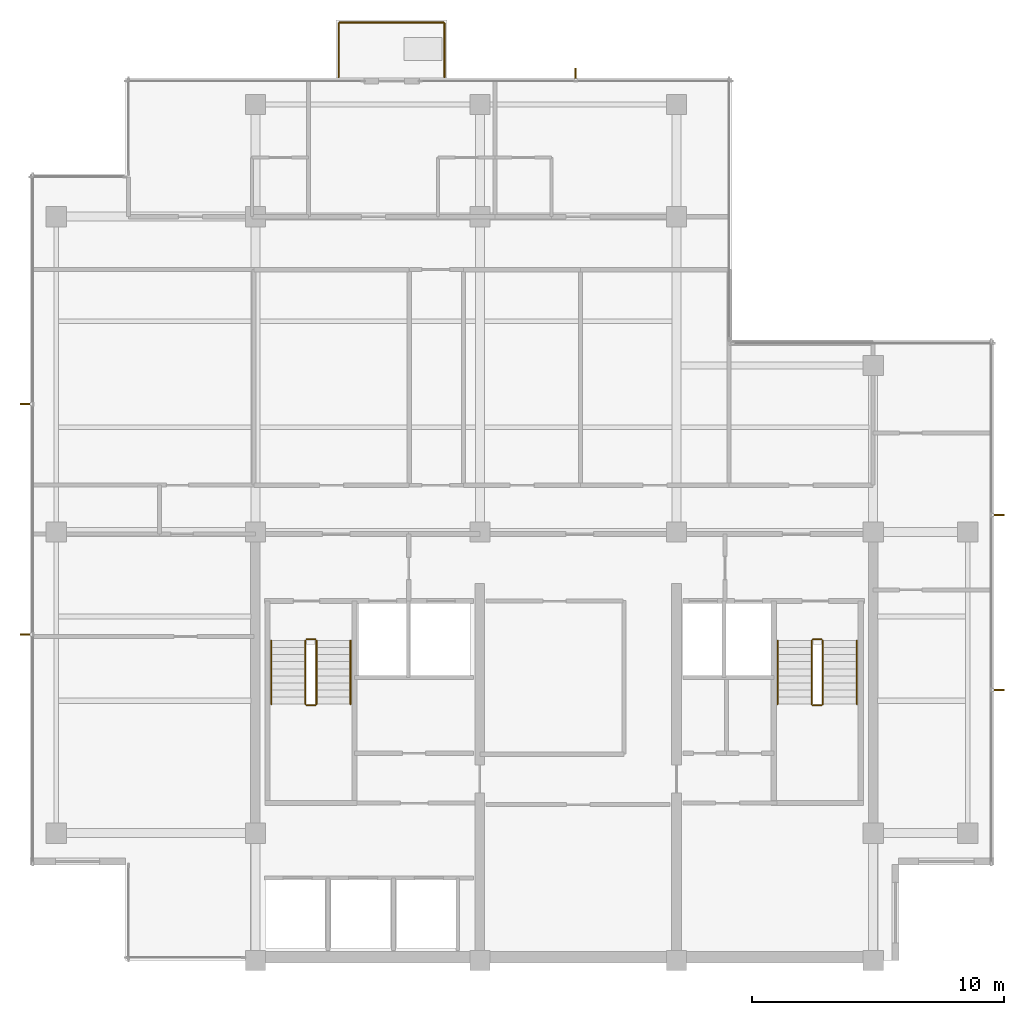
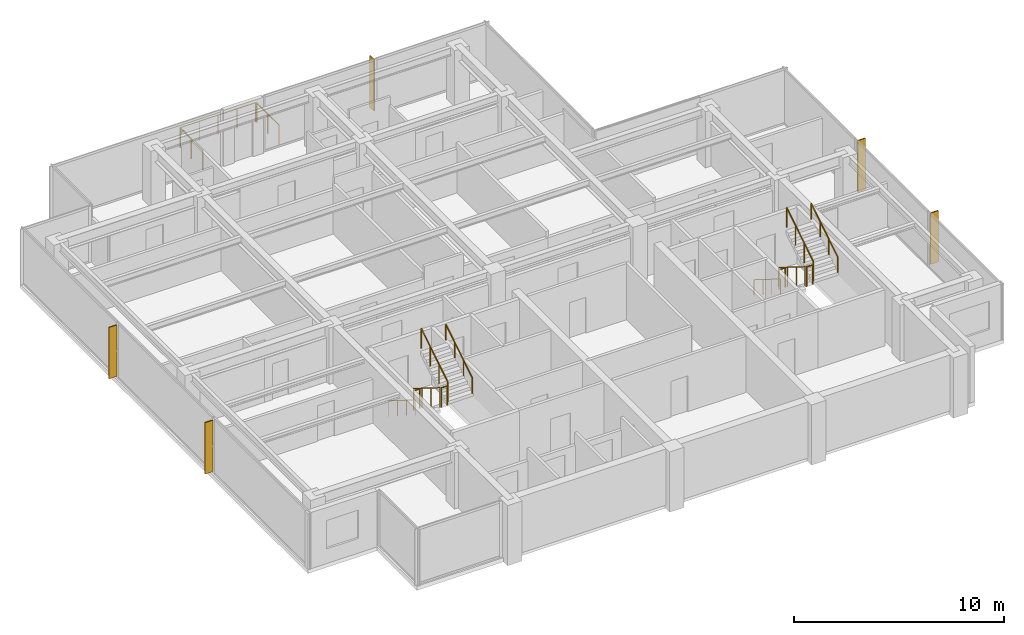
# One storey, part 11 of 11: 15 railings, 5 shading devices.
"""IFC4 building model written with IfcOpenShell, lengths in metres."""

import ifcopenshell
import ifcopenshell.guid

model = None  # the IFC model being written
_history = None  # IfcOwnerHistory: only IFC2X3 demands one
_inside = {}  # id of a spatial element -> (the spatial element, [elements in it])
_under = {}  # id of a project, library or spatial element -> (it, [spatial elements below it])
_declared = {}  # id of a project -> (the project, [libraries it declares])
_typed = {}  # id of a type object -> (the type object, [elements of that type])
_made_of = {}  # id of a material, layer set ... -> (it, [elements and type objects made of it])


def new_model(schema):
    """Start an empty IFC model of exactly this schema.

    Asked for "IFC4X3", IfcOpenShell would pick the latest addendum, in which some entities
    have other attributes; the version numbers below select the first issue.
    IFC2X3 requires an IfcOwnerHistory on every rooted entity: one is made here for all.
    """
    global model, _history
    if schema == "IFC4X3":
        model = ifcopenshell.file(schema_version=(4, 3, 0, 0))
    else:
        model = ifcopenshell.file(schema=schema)
    _inside.clear()
    _under.clear()
    _declared.clear()
    _typed.clear()
    _made_of.clear()
    _history = None
    if model.schema == "IFC2X3":
        org = make("IfcOrganization", Name="unknown")
        user = make(
            "IfcPersonAndOrganization",
            ThePerson=make("IfcPerson", FamilyName="unknown"),
            TheOrganization=org,
        )
        app = make(
            "IfcApplication",
            ApplicationDeveloper=org,
            Version="unknown",
            ApplicationFullName="unknown",
            ApplicationIdentifier="unknown",
        )
        _history = make(
            "IfcOwnerHistory",
            OwningUser=user,
            OwningApplication=app,
            ChangeAction="ADDED",
            CreationDate=0,
        )
    return model


def make(cls, **values):
    """One entity of the class cls with the attributes given. An attribute that is None is left unset."""
    return model.create_entity(
        cls, **{name: value for name, value in values.items() if value is not None}
    )


def rooted(cls, **values):
    """An entity with a GlobalId (a new one), such as an element, a storey or a relation."""
    return make(cls, GlobalId=ifcopenshell.guid.new(), OwnerHistory=_history, **values)


def si_unit(unit_type, name, prefix=None):
    """IfcSIUnit, for example si_unit("LENGTHUNIT", "METRE", prefix="MILLI")."""
    return make("IfcSIUnit", UnitType=unit_type, Prefix=prefix, Name=name)


def assignment(units):
    """IfcUnitAssignment: the units of a project."""
    return None if units is None else make("IfcUnitAssignment", Units=units)


def point(xyz):
    """IfcCartesianPoint."""
    return None if xyz is None else make("IfcCartesianPoint", Coordinates=xyz)


def direction(xyz):
    """IfcDirection."""
    return None if xyz is None else make("IfcDirection", DirectionRatios=xyz)


def frame(location, z_axis=None, x_axis=None):
    """IfcAxis2Placement3D, a coordinate frame: its origin and axes. An axis left out is left unset."""
    return make(
        "IfcAxis2Placement3D",
        Location=point(location),
        Axis=direction(z_axis),
        RefDirection=direction(x_axis),
    )


def frame_2d(location, x_axis=None):
    """IfcAxis2Placement2D, a coordinate frame in the plane: its origin and x axis."""
    return make(
        "IfcAxis2Placement2D", Location=point(location), RefDirection=direction(x_axis)
    )


def origin():
    """The frame at (0, 0, 0) with its axes left unset."""
    return frame((0.0, 0.0, 0.0))


def origin_2d():
    """The frame at (0, 0) in the plane with its x axis left unset."""
    return frame_2d((0.0, 0.0))


def place(relative_to, where):
    """IfcLocalPlacement: puts the frame where relative to a parent placement (None: the world)."""
    return make(
        "IfcLocalPlacement", PlacementRelTo=relative_to, RelativePlacement=where
    )


def context(
    kind, dimensions, precision=None, world=None, true_north=None, identifier=None
):
    """IfcGeometricRepresentationContext, for example the 3D "Model" context."""
    return make(
        "IfcGeometricRepresentationContext",
        ContextIdentifier=identifier,
        ContextType=kind,
        CoordinateSpaceDimension=dimensions,
        Precision=precision,
        WorldCoordinateSystem=world,
        TrueNorth=true_north,
    )


def subcontext(parent, identifier, kind, view, scale=None):
    """IfcGeometricRepresentationSubContext, for example "Body" below "Model"."""
    return make(
        "IfcGeometricRepresentationSubContext",
        ContextIdentifier=identifier,
        ContextType=kind,
        ParentContext=parent,
        TargetScale=scale,
        TargetView=view,
    )


def project(units=None, contexts=None):
    """IfcProject with its units and contexts."""
    return rooted(
        "IfcProject",
        Name="project",
        RepresentationContexts=contexts,
        UnitsInContext=assignment(units),
    )


def spatial(cls, under=None, at=None, **own):
    """A site, building, storey or space (cls), placed at a placement, below another one or the project."""
    s = rooted(cls, ObjectPlacement=at, **own)
    if under is not None:
        _under.setdefault(under.id(), (under, []))[1].append(s)
    return s


def polyline(points):
    """IfcPolyline through the points."""
    return make("IfcPolyline", Points=[point(p) for p in points])


def profile(cls, at=None, kind="AREA", **sizes):
    """A parametric profile (cls). Its sizes go by their IFC names, for example OverallWidth=200.0."""
    return make(cls, ProfileType=kind, Position=at, **sizes)


def circle(**sizes):
    """IfcCircleProfileDef."""
    return profile("IfcCircleProfileDef", **sizes)


def outline(outer, holes=None, kind="AREA"):
    """IfcArbitraryClosedProfileDef: a profile drawn as a closed curve; with holes, ...WithVoids."""
    if holes is None:
        return make("IfcArbitraryClosedProfileDef", ProfileType=kind, OuterCurve=outer)
    return make(
        "IfcArbitraryProfileDefWithVoids",
        ProfileType=kind,
        OuterCurve=outer,
        InnerCurves=holes,
    )


def extrude(swept, where, along, depth):
    """IfcExtrudedAreaSolid: the profile swept, set in the frame where, extruded along a direction by depth."""
    return make(
        "IfcExtrudedAreaSolid",
        SweptArea=swept,
        Position=where,
        ExtrudedDirection=direction(along),
        Depth=depth,
    )


def shape(context_of_items, identifier, shape_type, items):
    """IfcShapeRepresentation: the items that make up one representation, for example the "Body"."""
    return make(
        "IfcShapeRepresentation",
        ContextOfItems=context_of_items,
        RepresentationIdentifier=identifier,
        RepresentationType=shape_type,
        Items=items,
    )


def material(Name=None, Category=None):
    """IfcMaterial."""
    return make("IfcMaterial", Name=Name, Category=Category)


def layer(
    of_material, thickness, ventilated=None, Name=None, Category=None, Priority=None
):
    """IfcMaterialLayer: one layer of a wall or slab, of a material (None: an air gap)."""
    return make(
        "IfcMaterialLayer",
        Material=of_material,
        LayerThickness=thickness,
        IsVentilated=ventilated,
        Name=Name,
        Category=Category,
        Priority=Priority,
    )


def layer_set(layers, Name=None):
    """IfcMaterialLayerSet."""
    return make("IfcMaterialLayerSet", MaterialLayers=layers, LayerSetName=Name)


def made_of(thing, what):
    """Note that an element or type object is made of a material, layer set ...; save() writes the relation."""
    if what is not None:
        _made_of.setdefault(what.id(), (what, []))[1].append(thing)
    return thing


def type_object(cls, material=None, **own):
    """A type object (cls), such as IfcWallType, which elements share."""
    return made_of(rooted(cls, **own), material)


def element(
    cls,
    number,
    at=None,
    inside=None,
    cuts=None,
    type_object=None,
    material=None,
    context=None,
    identifier="Body",
    shape_type=None,
    held_by="IfcProductDefinitionShape",
    body=None,
    shapes=None,
    **own,
):
    """One element of the class cls, such as IfcWall. Its Tag is "e" and its number.

    at: its placement. inside: the storey or other place that contains it. cuts: it is an
    opening in that element (IfcRelVoidsElement). A single representation is given by context,
    identifier, shape_type and body (its items); several are given by shapes. held_by: the class
    of the entity that holds the representations. save() writes the other relations.
    """
    e = rooted(cls, Tag="e%d" % number, ObjectPlacement=at, **own)
    if body is not None:
        shapes = [shape(context, identifier, shape_type, body)]
    if shapes is not None:
        e.Representation = make(held_by, Representations=shapes)
    if inside is not None:
        _inside.setdefault(inside.id(), (inside, []))[1].append(e)
    if cuts is not None:
        rooted(
            "IfcRelVoidsElement", RelatingBuildingElement=cuts, RelatedOpeningElement=e
        )
    if type_object is not None:
        _typed.setdefault(type_object.id(), (type_object, []))[1].append(e)
    return made_of(e, material)


def aggregate(whole, parts):
    """IfcRelAggregates: a whole, such as a stair, and the parts it consists of."""
    return rooted("IfcRelAggregates", RelatingObject=whole, RelatedObjects=parts)


def save(model, path):
    """Write the relations noted so far, then the file.

    IfcRelAggregates (storeys below a building ...), IfcRelContainedInSpatialStructure (elements
    in a storey), IfcRelDefinesByType, IfcRelAssociatesMaterial and IfcRelDeclares: one each for
    every whole, place, type object, material and project.
    """
    for whole, parts in _under.values():
        aggregate(whole, parts)
    for where, things in _inside.values():
        rooted(
            "IfcRelContainedInSpatialStructure",
            RelatedElements=things,
            RelatingStructure=where,
        )
    for kind, things in _typed.values():
        rooted("IfcRelDefinesByType", RelatedObjects=things, RelatingType=kind)
    for what, things in _made_of.values():
        rooted("IfcRelAssociatesMaterial", RelatedObjects=things, RelatingMaterial=what)
    for by, libraries in _declared.values():
        rooted("IfcRelDeclares", RelatingContext=by, RelatedDefinitions=libraries)
    model.write(path)


model = new_model("IFC4")

# Units and contexts
model_context = context("Model", 3, precision=1e-05, world=origin(), true_north=direction((0.0, 1.0)))
body_context = subcontext(model_context, "Body", "Model", "MODEL_VIEW")
ifc_project = project(units=[si_unit("LENGTHUNIT", "METRE"), si_unit("AREAUNIT", "SQUARE_METRE"), si_unit("VOLUMEUNIT", "CUBIC_METRE"), si_unit("PLANEANGLEUNIT", "RADIAN"), si_unit("MASSUNIT", "GRAM", prefix="KILO")], contexts=[model_context])

# Site, building, storey
site_placement = place(None, origin())
site = spatial("IfcSite", under=ifc_project, at=site_placement, CompositionType="ELEMENT")
building_placement = place(site_placement, origin())
building = spatial("IfcBuilding", under=site, at=building_placement, Name="Qalmaran Belvedere Hotel", CompositionType="ELEMENT")
storey_placement = place(building_placement, frame((0.0, 0.0, 263.39990234375)))
storey = spatial("IfcBuildingStorey", under=building, at=storey_placement, Name="L68", CompositionType="ELEMENT", Elevation=263.39990234375)

# Shading devices
ifc_material_1 = material(Name="Anodised Bronze Aluminium", Category="aluminium")
ifc_layer = layer(ifc_material_1, 0.06494140625, Name="Anodised Bronze Aluminium")
ifc_layer_set = layer_set([ifc_layer], Name="Anodised Bronze Aluminium")
shading_device_type = type_object("IfcShadingDeviceType", Name="FIN-BRNZ-420", PredefinedType="USERDEFINED", material=ifc_layer_set)
shading_device_1_placement = place(storey_placement, frame((0.0, 0.0, 0.16015625)))
element("IfcShadingDevice", 1, at=shading_device_1_placement, inside=storey, type_object=shading_device_type, Name="L68 Bronze Fin 1", ObjectType="FIN", PredefinedType="USERDEFINED", context=body_context, shape_type="SweptSolid", body=[
    extrude(outline(polyline([(49.5673828125, 14.20068359375), (49.987548828125, 14.20068359375), (49.987548828125, 14.265869140625), (49.5673828125, 14.265869140625), (49.5673828125, 14.20068359375)])), origin(), (0.0, 0.0, 1.0), 2.97998046875),
])
shading_device_2_placement = place(storey_placement, frame((0.0, 0.0, 0.16015625)))
element("IfcShadingDevice", 2, at=shading_device_2_placement, inside=storey, type_object=shading_device_type, Name="L68 Bronze Fin 2", ObjectType="FIN", PredefinedType="USERDEFINED", context=body_context, shape_type="SweptSolid", body=[
    extrude(outline(polyline([(49.5673828125, 21.13427734375), (49.987548828125, 21.13427734375), (49.987548828125, 21.19921875), (49.5673828125, 21.19921875), (49.5673828125, 21.13427734375)])), origin(), (0.0, 0.0, 1.0), 2.97998046875),
])
shading_device_3_placement = place(storey_placement, frame((0.0, 0.0, 0.16015625)))
element("IfcShadingDevice", 3, at=shading_device_3_placement, inside=storey, type_object=shading_device_type, Name="L68 Bronze Fin 1", ObjectType="FIN", PredefinedType="USERDEFINED", context=body_context, shape_type="SweptSolid", body=[
    extrude(outline(polyline([(33.032470703125, 38.467529296875), (33.032470703125, 38.887451171875), (32.967529296875, 38.887451171875), (32.967529296875, 38.467529296875), (33.032470703125, 38.467529296875)])), origin(), (0.0, 0.0, 1.0), 2.97998046875),
])
shading_device_4_placement = place(storey_placement, frame((0.0, 0.0, 0.16015625)))
element("IfcShadingDevice", 4, at=shading_device_4_placement, inside=storey, type_object=shading_device_type, Name="L68 Bronze Fin 1", ObjectType="FIN", PredefinedType="USERDEFINED", context=body_context, shape_type="SweptSolid", body=[
    extrude(outline(polyline([(11.382568359375, 25.59912109375), (10.96240234375, 25.59912109375), (10.96240234375, 25.5341796875), (11.382568359375, 25.5341796875), (11.382568359375, 25.59912109375)])), origin(), (0.0, 0.0, 1.0), 2.97998046875),
])
shading_device_5_placement = place(storey_placement, frame((0.0, 0.0, 0.16015625)))
element("IfcShadingDevice", 5, at=shading_device_5_placement, inside=storey, type_object=shading_device_type, Name="L68 Bronze Fin 2", ObjectType="FIN", PredefinedType="USERDEFINED", context=body_context, shape_type="SweptSolid", body=[
    extrude(outline(polyline([(11.382568359375, 16.4658203125), (10.96240234375, 16.4658203125), (10.96240234375, 16.40087890625), (11.382568359375, 16.40087890625), (11.382568359375, 16.4658203125)])), origin(), (0.0, 0.0, 1.0), 2.97998046875),
])

# Railings
railing_type_1 = type_object("IfcRailingType", Name="GRD-BAL-1150", PredefinedType="BALUSTRADE", material=ifc_material_1)
railing_1_placement = place(storey_placement, frame((23.60009765625, 38.534912109375, 0.0)))
element("IfcRailing", 6, at=railing_1_placement, inside=storey, type_object=railing_type_1, Name="L68 Guardrail BAL-L68-N-1", PredefinedType="BALUSTRADE", context=body_context, shape_type="SweptSolid", body=[
    extrude(circle(Radius=0.02392578125, at=origin_2d()), frame((0.0, 0.0, 1.1259765625), z_axis=(0.0, 1.0, 0.0), x_axis=(-1.0, 0.0, 0.0)), (0.0, 0.0, 1.0), 2.130126953125),
    extrude(circle(Radius=0.02099609375, at=origin_2d()), origin(), (0.0, 0.0, 1.0), 1.101806640625),
    extrude(circle(Radius=0.02099609375, at=origin_2d()), frame((0.0, 1.06494140625, 0.0)), (0.0, 0.0, 1.0), 1.101806640625),
    extrude(circle(Radius=0.02099609375, at=origin_2d()), frame((0.0, 2.130126953125, 0.0)), (0.0, 0.0, 1.0), 1.101806640625),
])
railing_2_placement = place(storey_placement, frame((23.635009765625, 40.699951171875, 0.0)))
element("IfcRailing", 7, at=railing_2_placement, inside=storey, type_object=railing_type_1, Name="L68 Guardrail BAL-L68-N-2", PredefinedType="BALUSTRADE", context=body_context, shape_type="SweptSolid", body=[
    extrude(circle(Radius=0.02392578125, at=origin_2d()), frame((0.0, 0.0, 1.1259765625), z_axis=(1.0, 0.0, 0.0), x_axis=(0.0, 1.0, 0.0)), (0.0, 0.0, 1.0), 4.1298828125),
    extrude(circle(Radius=0.02099609375, at=origin_2d()), origin(), (0.0, 0.0, 1.0), 1.101806640625),
    extrude(circle(Radius=0.02099609375, at=origin_2d()), frame((1.032470703125, 0.0, 0.0)), (0.0, 0.0, 1.0), 1.101806640625),
    extrude(circle(Radius=0.02099609375, at=origin_2d()), frame((2.06494140625, 0.0, 0.0)), (0.0, 0.0, 1.0), 1.101806640625),
    extrude(circle(Radius=0.02099609375, at=origin_2d()), frame((3.097412109375, 0.0, 0.0)), (0.0, 0.0, 1.0), 1.101806640625),
    extrude(circle(Radius=0.02099609375, at=origin_2d()), frame((4.1298828125, 0.0, 0.0)), (0.0, 0.0, 1.0), 1.101806640625),
])
railing_3_placement = place(storey_placement, frame((27.800048828125, 40.6650390625, 0.0)))
element("IfcRailing", 8, at=railing_3_placement, inside=storey, type_object=railing_type_1, Name="L68 Guardrail BAL-L68-N-3", PredefinedType="BALUSTRADE", context=body_context, shape_type="SweptSolid", body=[
    extrude(circle(Radius=0.02392578125, at=origin_2d()), frame((0.0, 0.0, 1.1259765625), z_axis=(0.0, -1.0, 0.0), x_axis=(1.0, 0.0, 0.0)), (0.0, 0.0, 1.0), 2.130126953125),
    extrude(circle(Radius=0.02099609375, at=origin_2d()), origin(), (0.0, 0.0, 1.0), 1.101806640625),
    extrude(circle(Radius=0.02099609375, at=origin_2d()), frame((0.0, -1.06494140625, 0.0)), (0.0, 0.0, 1.0), 1.101806640625),
    extrude(circle(Radius=0.02099609375, at=origin_2d()), frame((0.0, -2.130126953125, 0.0)), (0.0, 0.0, 1.0), 1.101806640625),
])
ifc_material_2 = material(Name="Stainless Steel 1.4401", Category="steel")
railing_type_2 = type_object("IfcRailingType", Name="RLG-STAIR-GUARD-1150", PredefinedType="GUARDRAIL", material=ifc_material_2)
railing_4_placement = place(storey_placement, frame((22.280029296875, 16.18994140625, 0.175048828125)))
element("IfcRailing", 9, at=railing_4_placement, inside=storey, type_object=railing_type_2, Name="L68 ST-1 stair guard 1", PredefinedType="GUARDRAIL", context=body_context, shape_type="SweptSolid", body=[
    extrude(circle(Radius=0.02392578125, at=origin_2d()), frame((0.0, 0.0, 1.1259765625), z_axis=(0.0, -0.848007534815, 0.529984170421), x_axis=(1.0, 0.0, 0.0)), (0.0, 0.0, 1.0), 2.9716796875),
    extrude(circle(Radius=0.02099609375, at=origin_2d()), origin(), (0.0, 0.0, 1.0), 1.101806640625),
    extrude(circle(Radius=0.02099609375, at=origin_2d()), frame((0.0, -0.840087890625, 0.52490234375)), (0.0, 0.0, 1.0), 1.101806640625),
    extrude(circle(Radius=0.02099609375, at=origin_2d()), frame((0.0, -1.679931640625, 1.050048828125)), (0.0, 0.0, 1.0), 1.101806640625),
    extrude(circle(Radius=0.02099609375, at=origin_2d()), frame((0.0, -2.52001953125, 1.574951171875)), (0.0, 0.0, 1.0), 1.101806640625),
])
railing_5_placement = place(storey_placement, frame((22.330078125, 13.6201171875, 1.75)))
element("IfcRailing", 10, at=railing_5_placement, inside=storey, type_object=railing_type_2, Name="L68 ST-1 stair guard 2", PredefinedType="GUARDRAIL", context=body_context, shape_type="SweptSolid", body=[
    extrude(circle(Radius=0.02392578125, at=origin_2d()), frame((0.0, 0.0, 1.1259765625), z_axis=(1.0, 0.0, 0.0), x_axis=(0.0, 1.0, 0.0)), (0.0, 0.0, 1.0), 0.33984375),
    extrude(circle(Radius=0.02099609375, at=origin_2d()), origin(), (0.0, 0.0, 1.0), 1.101806640625),
    extrude(circle(Radius=0.02099609375, at=origin_2d()), frame((0.33984375, 0.0, 0.0)), (0.0, 0.0, 1.0), 1.101806640625),
])
railing_6_placement = place(storey_placement, frame((22.719970703125, 13.669921875, 1.925048828125)))
element("IfcRailing", 11, at=railing_6_placement, inside=storey, type_object=railing_type_2, Name="L68 ST-1 stair guard 3", PredefinedType="GUARDRAIL", context=body_context, shape_type="SweptSolid", body=[
    extrude(circle(Radius=0.02392578125, at=origin_2d()), frame((0.0, 0.0, 1.1259765625), z_axis=(0.0, 0.848007534815, 0.529984170421), x_axis=(-1.0, 0.0, 0.0)), (0.0, 0.0, 1.0), 2.9716796875),
    extrude(circle(Radius=0.02099609375, at=origin_2d()), origin(), (0.0, 0.0, 1.0), 1.101806640625),
    extrude(circle(Radius=0.02099609375, at=origin_2d()), frame((0.0, 0.840087890625, 0.52490234375)), (0.0, 0.0, 1.0), 1.101806640625),
    extrude(circle(Radius=0.02099609375, at=origin_2d()), frame((0.0, 1.679931640625, 1.050048828125)), (0.0, 0.0, 1.0), 1.101806640625),
    extrude(circle(Radius=0.02099609375, at=origin_2d()), frame((0.0, 2.52001953125, 1.574951171875)), (0.0, 0.0, 1.0), 1.101806640625),
])
railing_7_placement = place(storey_placement, frame((22.330078125, 16.239990234375, 0.0)))
element("IfcRailing", 12, at=railing_7_placement, inside=storey, type_object=railing_type_2, Name="L68 ST-1 stair guard 4", PredefinedType="GUARDRAIL", context=body_context, shape_type="SweptSolid", body=[
    extrude(circle(Radius=0.02392578125, at=origin_2d()), frame((0.0, 0.0, 1.1259765625), z_axis=(1.0, 0.0, 0.0), x_axis=(0.0, 1.0, 0.0)), (0.0, 0.0, 1.0), 0.33984375),
    extrude(circle(Radius=0.02099609375, at=origin_2d()), origin(), (0.0, 0.0, 1.0), 1.101806640625),
    extrude(circle(Radius=0.02099609375, at=origin_2d()), frame((0.33984375, 0.0, 0.0)), (0.0, 0.0, 1.0), 1.101806640625),
])
railing_8_placement = place(storey_placement, frame((42.360107421875, 16.18994140625, 0.175048828125)))
element("IfcRailing", 13, at=railing_8_placement, inside=storey, type_object=railing_type_2, Name="L68 ST-2 stair guard 1", PredefinedType="GUARDRAIL", context=body_context, shape_type="SweptSolid", body=[
    extrude(circle(Radius=0.02392578125, at=origin_2d()), frame((0.0, 0.0, 1.1259765625), z_axis=(0.0, -0.848007534815, 0.529984170421), x_axis=(1.0, 0.0, 0.0)), (0.0, 0.0, 1.0), 2.9716796875),
    extrude(circle(Radius=0.02099609375, at=origin_2d()), origin(), (0.0, 0.0, 1.0), 1.101806640625),
    extrude(circle(Radius=0.02099609375, at=origin_2d()), frame((0.0, -0.840087890625, 0.52490234375)), (0.0, 0.0, 1.0), 1.101806640625),
    extrude(circle(Radius=0.02099609375, at=origin_2d()), frame((0.0, -1.679931640625, 1.050048828125)), (0.0, 0.0, 1.0), 1.101806640625),
    extrude(circle(Radius=0.02099609375, at=origin_2d()), frame((0.0, -2.52001953125, 1.574951171875)), (0.0, 0.0, 1.0), 1.101806640625),
])
railing_9_placement = place(storey_placement, frame((42.409912109375, 13.6201171875, 1.75)))
element("IfcRailing", 14, at=railing_9_placement, inside=storey, type_object=railing_type_2, Name="L68 ST-2 stair guard 2", PredefinedType="GUARDRAIL", context=body_context, shape_type="SweptSolid", body=[
    extrude(circle(Radius=0.02392578125, at=origin_2d()), frame((0.0, 0.0, 1.1259765625), z_axis=(1.0, 0.0, 0.0), x_axis=(0.0, 1.0, 0.0)), (0.0, 0.0, 1.0), 0.340087890625),
    extrude(circle(Radius=0.02099609375, at=origin_2d()), origin(), (0.0, 0.0, 1.0), 1.101806640625),
    extrude(circle(Radius=0.02099609375, at=origin_2d()), frame((0.340087890625, 0.0, 0.0)), (0.0, 0.0, 1.0), 1.101806640625),
])
railing_10_placement = place(storey_placement, frame((42.800048828125, 13.669921875, 1.925048828125)))
element("IfcRailing", 15, at=railing_10_placement, inside=storey, type_object=railing_type_2, Name="L68 ST-2 stair guard 3", PredefinedType="GUARDRAIL", context=body_context, shape_type="SweptSolid", body=[
    extrude(circle(Radius=0.02392578125, at=origin_2d()), frame((0.0, 0.0, 1.1259765625), z_axis=(0.0, 0.848007534815, 0.529984170421), x_axis=(-1.0, 0.0, 0.0)), (0.0, 0.0, 1.0), 2.9716796875),
    extrude(circle(Radius=0.02099609375, at=origin_2d()), origin(), (0.0, 0.0, 1.0), 1.101806640625),
    extrude(circle(Radius=0.02099609375, at=origin_2d()), frame((0.0, 0.840087890625, 0.52490234375)), (0.0, 0.0, 1.0), 1.101806640625),
    extrude(circle(Radius=0.02099609375, at=origin_2d()), frame((0.0, 1.679931640625, 1.050048828125)), (0.0, 0.0, 1.0), 1.101806640625),
    extrude(circle(Radius=0.02099609375, at=origin_2d()), frame((0.0, 2.52001953125, 1.574951171875)), (0.0, 0.0, 1.0), 1.101806640625),
])
railing_11_placement = place(storey_placement, frame((42.409912109375, 16.239990234375, 0.0)))
element("IfcRailing", 16, at=railing_11_placement, inside=storey, type_object=railing_type_2, Name="L68 ST-2 stair guard 4", PredefinedType="GUARDRAIL", context=body_context, shape_type="SweptSolid", body=[
    extrude(circle(Radius=0.02392578125, at=origin_2d()), frame((0.0, 0.0, 1.1259765625), z_axis=(1.0, 0.0, 0.0), x_axis=(0.0, 1.0, 0.0)), (0.0, 0.0, 1.0), 0.340087890625),
    extrude(circle(Radius=0.02099609375, at=origin_2d()), origin(), (0.0, 0.0, 1.0), 1.101806640625),
    extrude(circle(Radius=0.02099609375, at=origin_2d()), frame((0.340087890625, 0.0, 0.0)), (0.0, 0.0, 1.0), 1.101806640625),
])
railing_type_3 = type_object("IfcRailingType", Name="RLG-STAIR-HAND-910", PredefinedType="HANDRAIL", material=ifc_material_2)
railing_12_placement = place(storey_placement, frame((20.929931640625, 16.18994140625, 0.175048828125)))
element("IfcRailing", 17, at=railing_12_placement, inside=storey, type_object=railing_type_3, Name="L68 ST-1 stair handrail 1", PredefinedType="HANDRAIL", context=body_context, shape_type="SweptSolid", body=[
    extrude(circle(Radius=0.02392578125, at=origin_2d()), frame((0.0, 0.0, 0.8857421875), z_axis=(0.0, -0.848007534815, 0.529984170421), x_axis=(1.0, 0.0, 0.0)), (0.0, 0.0, 1.0), 2.9716796875),
    extrude(circle(Radius=0.02099609375, at=origin_2d()), origin(), (0.0, 0.0, 1.0), 0.86181640625),
    extrude(circle(Radius=0.02099609375, at=origin_2d()), frame((0.0, -0.840087890625, 0.52490234375)), (0.0, 0.0, 1.0), 0.86181640625),
    extrude(circle(Radius=0.02099609375, at=origin_2d()), frame((0.0, -1.679931640625, 1.050048828125)), (0.0, 0.0, 1.0), 0.86181640625),
    extrude(circle(Radius=0.02099609375, at=origin_2d()), frame((0.0, -2.52001953125, 1.574951171875)), (0.0, 0.0, 1.0), 0.86181640625),
])
railing_13_placement = place(storey_placement, frame((24.070068359375, 13.669921875, 1.925048828125)))
element("IfcRailing", 18, at=railing_13_placement, inside=storey, type_object=railing_type_3, Name="L68 ST-1 stair handrail 2", PredefinedType="HANDRAIL", context=body_context, shape_type="SweptSolid", body=[
    extrude(circle(Radius=0.02392578125, at=origin_2d()), frame((0.0, 0.0, 0.8857421875), z_axis=(0.0, 0.848007534815, 0.529984170421), x_axis=(-1.0, 0.0, 0.0)), (0.0, 0.0, 1.0), 2.9716796875),
    extrude(circle(Radius=0.02099609375, at=origin_2d()), origin(), (0.0, 0.0, 1.0), 0.86181640625),
    extrude(circle(Radius=0.02099609375, at=origin_2d()), frame((0.0, 0.840087890625, 0.52490234375)), (0.0, 0.0, 1.0), 0.86181640625),
    extrude(circle(Radius=0.02099609375, at=origin_2d()), frame((0.0, 1.679931640625, 1.050048828125)), (0.0, 0.0, 1.0), 0.86181640625),
    extrude(circle(Radius=0.02099609375, at=origin_2d()), frame((0.0, 2.52001953125, 1.574951171875)), (0.0, 0.0, 1.0), 0.86181640625),
])
railing_14_placement = place(storey_placement, frame((41.010009765625, 16.18994140625, 0.175048828125)))
element("IfcRailing", 19, at=railing_14_placement, inside=storey, type_object=railing_type_3, Name="L68 ST-2 stair handrail 1", PredefinedType="HANDRAIL", context=body_context, shape_type="SweptSolid", body=[
    extrude(circle(Radius=0.02392578125, at=origin_2d()), frame((0.0, 0.0, 0.8857421875), z_axis=(0.0, -0.848007534815, 0.529984170421), x_axis=(1.0, 0.0, 0.0)), (0.0, 0.0, 1.0), 2.9716796875),
    extrude(circle(Radius=0.02099609375, at=origin_2d()), origin(), (0.0, 0.0, 1.0), 0.86181640625),
    extrude(circle(Radius=0.02099609375, at=origin_2d()), frame((0.0, -0.840087890625, 0.52490234375)), (0.0, 0.0, 1.0), 0.86181640625),
    extrude(circle(Radius=0.02099609375, at=origin_2d()), frame((0.0, -1.679931640625, 1.050048828125)), (0.0, 0.0, 1.0), 0.86181640625),
    extrude(circle(Radius=0.02099609375, at=origin_2d()), frame((0.0, -2.52001953125, 1.574951171875)), (0.0, 0.0, 1.0), 0.86181640625),
])
railing_15_placement = place(storey_placement, frame((44.14990234375, 13.669921875, 1.925048828125)))
element("IfcRailing", 20, at=railing_15_placement, inside=storey, type_object=railing_type_3, Name="L68 ST-2 stair handrail 2", PredefinedType="HANDRAIL", context=body_context, shape_type="SweptSolid", body=[
    extrude(circle(Radius=0.02392578125, at=origin_2d()), frame((0.0, 0.0, 0.8857421875), z_axis=(0.0, 0.848007534815, 0.529984170421), x_axis=(-1.0, 0.0, 0.0)), (0.0, 0.0, 1.0), 2.9716796875),
    extrude(circle(Radius=0.02099609375, at=origin_2d()), origin(), (0.0, 0.0, 1.0), 0.86181640625),
    extrude(circle(Radius=0.02099609375, at=origin_2d()), frame((0.0, 0.840087890625, 0.52490234375)), (0.0, 0.0, 1.0), 0.86181640625),
    extrude(circle(Radius=0.02099609375, at=origin_2d()), frame((0.0, 1.679931640625, 1.050048828125)), (0.0, 0.0, 1.0), 0.86181640625),
    extrude(circle(Radius=0.02099609375, at=origin_2d()), frame((0.0, 2.52001953125, 1.574951171875)), (0.0, 0.0, 1.0), 0.86181640625),
])

save(model, "model.ifc")
